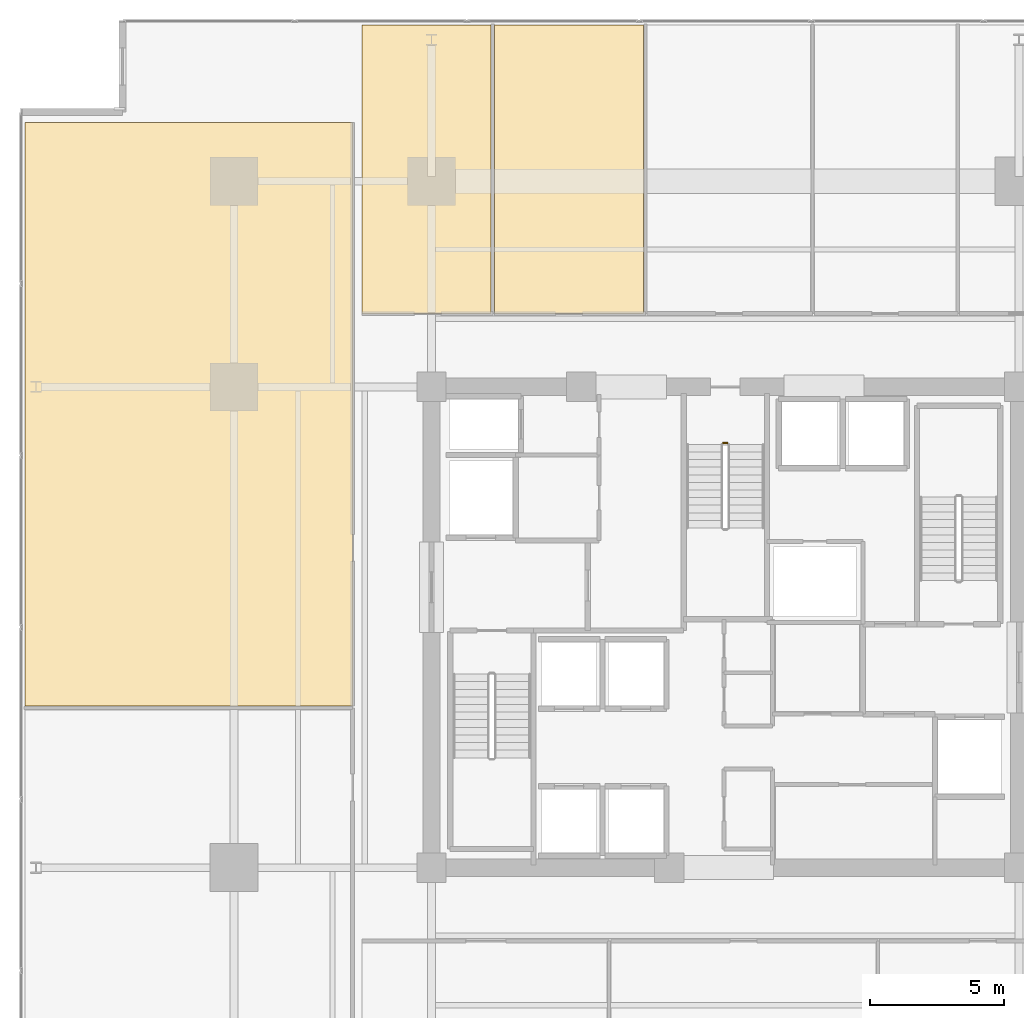
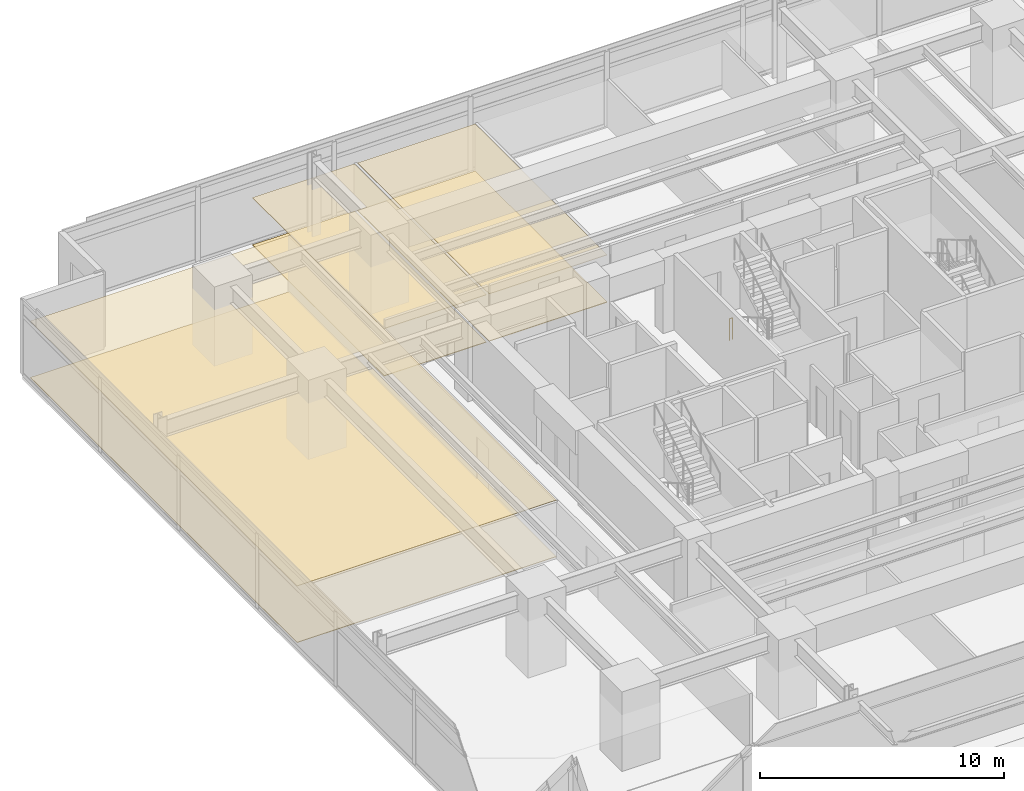
# One storey, part 22 of 23: 6 coverings, 1 railing.
"""IFC4 building model written with IfcOpenShell, lengths in metres."""

import ifcopenshell
import ifcopenshell.guid

model = None  # the IFC model being written
_history = None  # IfcOwnerHistory: only IFC2X3 demands one
_inside = {}  # id of a spatial element -> (the spatial element, [elements in it])
_under = {}  # id of a project, library or spatial element -> (it, [spatial elements below it])
_declared = {}  # id of a project -> (the project, [libraries it declares])
_typed = {}  # id of a type object -> (the type object, [elements of that type])
_made_of = {}  # id of a material, layer set ... -> (it, [elements and type objects made of it])


def new_model(schema):
    """Start an empty IFC model of exactly this schema.

    Asked for "IFC4X3", IfcOpenShell would pick the latest addendum, in which some entities
    have other attributes; the version numbers below select the first issue.
    IFC2X3 requires an IfcOwnerHistory on every rooted entity: one is made here for all.
    """
    global model, _history
    if schema == "IFC4X3":
        model = ifcopenshell.file(schema_version=(4, 3, 0, 0))
    else:
        model = ifcopenshell.file(schema=schema)
    _inside.clear()
    _under.clear()
    _declared.clear()
    _typed.clear()
    _made_of.clear()
    _history = None
    if model.schema == "IFC2X3":
        org = make("IfcOrganization", Name="unknown")
        user = make(
            "IfcPersonAndOrganization",
            ThePerson=make("IfcPerson", FamilyName="unknown"),
            TheOrganization=org,
        )
        app = make(
            "IfcApplication",
            ApplicationDeveloper=org,
            Version="unknown",
            ApplicationFullName="unknown",
            ApplicationIdentifier="unknown",
        )
        _history = make(
            "IfcOwnerHistory",
            OwningUser=user,
            OwningApplication=app,
            ChangeAction="ADDED",
            CreationDate=0,
        )
    return model


def make(cls, **values):
    """One entity of the class cls with the attributes given. An attribute that is None is left unset."""
    return model.create_entity(
        cls, **{name: value for name, value in values.items() if value is not None}
    )


def rooted(cls, **values):
    """An entity with a GlobalId (a new one), such as an element, a storey or a relation."""
    return make(cls, GlobalId=ifcopenshell.guid.new(), OwnerHistory=_history, **values)


def si_unit(unit_type, name, prefix=None):
    """IfcSIUnit, for example si_unit("LENGTHUNIT", "METRE", prefix="MILLI")."""
    return make("IfcSIUnit", UnitType=unit_type, Prefix=prefix, Name=name)


def assignment(units):
    """IfcUnitAssignment: the units of a project."""
    return None if units is None else make("IfcUnitAssignment", Units=units)


def point(xyz):
    """IfcCartesianPoint."""
    return None if xyz is None else make("IfcCartesianPoint", Coordinates=xyz)


def direction(xyz):
    """IfcDirection."""
    return None if xyz is None else make("IfcDirection", DirectionRatios=xyz)


def frame(location, z_axis=None, x_axis=None):
    """IfcAxis2Placement3D, a coordinate frame: its origin and axes. An axis left out is left unset."""
    return make(
        "IfcAxis2Placement3D",
        Location=point(location),
        Axis=direction(z_axis),
        RefDirection=direction(x_axis),
    )


def frame_2d(location, x_axis=None):
    """IfcAxis2Placement2D, a coordinate frame in the plane: its origin and x axis."""
    return make(
        "IfcAxis2Placement2D", Location=point(location), RefDirection=direction(x_axis)
    )


def origin():
    """The frame at (0, 0, 0) with its axes left unset."""
    return frame((0.0, 0.0, 0.0))


def origin_2d():
    """The frame at (0, 0) in the plane with its x axis left unset."""
    return frame_2d((0.0, 0.0))


def place(relative_to, where):
    """IfcLocalPlacement: puts the frame where relative to a parent placement (None: the world)."""
    return make(
        "IfcLocalPlacement", PlacementRelTo=relative_to, RelativePlacement=where
    )


def context(
    kind, dimensions, precision=None, world=None, true_north=None, identifier=None
):
    """IfcGeometricRepresentationContext, for example the 3D "Model" context."""
    return make(
        "IfcGeometricRepresentationContext",
        ContextIdentifier=identifier,
        ContextType=kind,
        CoordinateSpaceDimension=dimensions,
        Precision=precision,
        WorldCoordinateSystem=world,
        TrueNorth=true_north,
    )


def subcontext(parent, identifier, kind, view, scale=None):
    """IfcGeometricRepresentationSubContext, for example "Body" below "Model"."""
    return make(
        "IfcGeometricRepresentationSubContext",
        ContextIdentifier=identifier,
        ContextType=kind,
        ParentContext=parent,
        TargetScale=scale,
        TargetView=view,
    )


def project(units=None, contexts=None):
    """IfcProject with its units and contexts."""
    return rooted(
        "IfcProject",
        Name="project",
        RepresentationContexts=contexts,
        UnitsInContext=assignment(units),
    )


def spatial(cls, under=None, at=None, **own):
    """A site, building, storey or space (cls), placed at a placement, below another one or the project."""
    s = rooted(cls, ObjectPlacement=at, **own)
    if under is not None:
        _under.setdefault(under.id(), (under, []))[1].append(s)
    return s


def polyline(points):
    """IfcPolyline through the points."""
    return make("IfcPolyline", Points=[point(p) for p in points])


def profile(cls, at=None, kind="AREA", **sizes):
    """A parametric profile (cls). Its sizes go by their IFC names, for example OverallWidth=200.0."""
    return make(cls, ProfileType=kind, Position=at, **sizes)


def circle(**sizes):
    """IfcCircleProfileDef."""
    return profile("IfcCircleProfileDef", **sizes)


def outline(outer, holes=None, kind="AREA"):
    """IfcArbitraryClosedProfileDef: a profile drawn as a closed curve; with holes, ...WithVoids."""
    if holes is None:
        return make("IfcArbitraryClosedProfileDef", ProfileType=kind, OuterCurve=outer)
    return make(
        "IfcArbitraryProfileDefWithVoids",
        ProfileType=kind,
        OuterCurve=outer,
        InnerCurves=holes,
    )


def extrude(swept, where, along, depth):
    """IfcExtrudedAreaSolid: the profile swept, set in the frame where, extruded along a direction by depth."""
    return make(
        "IfcExtrudedAreaSolid",
        SweptArea=swept,
        Position=where,
        ExtrudedDirection=direction(along),
        Depth=depth,
    )


def shape(context_of_items, identifier, shape_type, items):
    """IfcShapeRepresentation: the items that make up one representation, for example the "Body"."""
    return make(
        "IfcShapeRepresentation",
        ContextOfItems=context_of_items,
        RepresentationIdentifier=identifier,
        RepresentationType=shape_type,
        Items=items,
    )


def material(Name=None, Category=None):
    """IfcMaterial."""
    return make("IfcMaterial", Name=Name, Category=Category)


def layer(
    of_material, thickness, ventilated=None, Name=None, Category=None, Priority=None
):
    """IfcMaterialLayer: one layer of a wall or slab, of a material (None: an air gap)."""
    return make(
        "IfcMaterialLayer",
        Material=of_material,
        LayerThickness=thickness,
        IsVentilated=ventilated,
        Name=Name,
        Category=Category,
        Priority=Priority,
    )


def layer_set(layers, Name=None):
    """IfcMaterialLayerSet."""
    return make("IfcMaterialLayerSet", MaterialLayers=layers, LayerSetName=Name)


def made_of(thing, what):
    """Note that an element or type object is made of a material, layer set ...; save() writes the relation."""
    if what is not None:
        _made_of.setdefault(what.id(), (what, []))[1].append(thing)
    return thing


def type_object(cls, material=None, **own):
    """A type object (cls), such as IfcWallType, which elements share."""
    return made_of(rooted(cls, **own), material)


def element(
    cls,
    number,
    at=None,
    inside=None,
    cuts=None,
    type_object=None,
    material=None,
    context=None,
    identifier="Body",
    shape_type=None,
    held_by="IfcProductDefinitionShape",
    body=None,
    shapes=None,
    **own,
):
    """One element of the class cls, such as IfcWall. Its Tag is "e" and its number.

    at: its placement. inside: the storey or other place that contains it. cuts: it is an
    opening in that element (IfcRelVoidsElement). A single representation is given by context,
    identifier, shape_type and body (its items); several are given by shapes. held_by: the class
    of the entity that holds the representations. save() writes the other relations.
    """
    e = rooted(cls, Tag="e%d" % number, ObjectPlacement=at, **own)
    if body is not None:
        shapes = [shape(context, identifier, shape_type, body)]
    if shapes is not None:
        e.Representation = make(held_by, Representations=shapes)
    if inside is not None:
        _inside.setdefault(inside.id(), (inside, []))[1].append(e)
    if cuts is not None:
        rooted(
            "IfcRelVoidsElement", RelatingBuildingElement=cuts, RelatedOpeningElement=e
        )
    if type_object is not None:
        _typed.setdefault(type_object.id(), (type_object, []))[1].append(e)
    return made_of(e, material)


def aggregate(whole, parts):
    """IfcRelAggregates: a whole, such as a stair, and the parts it consists of."""
    return rooted("IfcRelAggregates", RelatingObject=whole, RelatedObjects=parts)


def save(model, path):
    """Write the relations noted so far, then the file.

    IfcRelAggregates (storeys below a building ...), IfcRelContainedInSpatialStructure (elements
    in a storey), IfcRelDefinesByType, IfcRelAssociatesMaterial and IfcRelDeclares: one each for
    every whole, place, type object, material and project.
    """
    for whole, parts in _under.values():
        aggregate(whole, parts)
    for where, things in _inside.values():
        rooted(
            "IfcRelContainedInSpatialStructure",
            RelatedElements=things,
            RelatingStructure=where,
        )
    for kind, things in _typed.values():
        rooted("IfcRelDefinesByType", RelatedObjects=things, RelatingType=kind)
    for what, things in _made_of.values():
        rooted("IfcRelAssociatesMaterial", RelatedObjects=things, RelatingMaterial=what)
    for by, libraries in _declared.values():
        rooted("IfcRelDeclares", RelatingContext=by, RelatedDefinitions=libraries)
    model.write(path)


model = new_model("IFC4")

# Units and contexts
model_context = context("Model", 3, precision=1e-05, world=origin(), true_north=direction((0.0, 1.0)))
body_context = subcontext(model_context, "Body", "Model", "MODEL_VIEW")
ifc_project = project(units=[si_unit("LENGTHUNIT", "METRE"), si_unit("AREAUNIT", "SQUARE_METRE"), si_unit("VOLUMEUNIT", "CUBIC_METRE"), si_unit("PLANEANGLEUNIT", "RADIAN"), si_unit("MASSUNIT", "GRAM", prefix="KILO")], contexts=[model_context])

# Site, building, storey
site_placement = place(None, origin())
site = spatial("IfcSite", under=ifc_project, at=site_placement, CompositionType="ELEMENT")
building_placement = place(site_placement, origin())
building = spatial("IfcBuilding", under=site, at=building_placement, Name="Kovane Verandah Tower", CompositionType="ELEMENT")
storey_placement = place(building_placement, frame((0.0, 0.0, 91.60009765625)))
storey = spatial("IfcBuildingStorey", under=building, at=storey_placement, Name="L21", CompositionType="ELEMENT", Elevation=91.60009765625)

# Coverings
ifc_material_1 = material(Name="Perforated Acoustic Mineral-Fibre Ceiling Tile", Category="gypsum")
ifc_layer_1 = layer(ifc_material_1, 0.02490234375)
ifc_layer_set_1 = layer_set([ifc_layer_1], Name="Perforated Acoustic Mineral-Fibre Ceiling Tile")
covering_type_1 = type_object("IfcCoveringType", Name="CV-CEIL-25", PredefinedType="CEILING", material=ifc_layer_set_1)
covering_1_placement = place(storey_placement, frame((0.0, 0.0, 2.364990234375)))
element("IfcCovering", 1, at=covering_1_placement, inside=storey, type_object=covering_type_1, Name="L21 Breakout Pantry N1 Acoustic Ceiling", PredefinedType="CEILING", context=body_context, shape_type="SweptSolid", body=[
    extrude(outline(polyline([(26.39990234375, 39.25), (31.22607421875, 39.25), (31.22607421875, 50.044921875), (26.39990234375, 50.044921875), (26.39990234375, 39.25)])), origin(), (0.0, 0.0, 1.0), 0.02490234375),
])
covering_2_placement = place(storey_placement, frame((0.0, 0.0, 2.364990234375)))
element("IfcCovering", 2, at=covering_2_placement, inside=storey, type_object=covering_type_1, Name="L21 Collaboration Hub N2 Acoustic Ceiling", PredefinedType="CEILING", context=body_context, shape_type="SweptSolid", body=[
    extrude(outline(polyline([(31.365966796875, 39.25), (36.93798828125, 39.25), (36.93798828125, 50.044921875), (31.365966796875, 50.044921875), (31.365966796875, 39.25)])), origin(), (0.0, 0.0, 1.0), 0.02490234375),
])
covering_3_placement = place(storey_placement, frame((0.0, 0.0, 2.824951171875)))
element("IfcCovering", 3, at=covering_3_placement, inside=storey, type_object=covering_type_1, Name="L21 Collaboration Hub W2 Acoustic Ceiling", PredefinedType="CEILING", context=body_context, shape_type="SweptSolid", body=[
    extrude(outline(polyline([(13.785888671875, 24.546875), (26.050048828125, 24.546875), (26.050048828125, 46.39501953125), (13.785888671875, 46.39501953125), (13.785888671875, 24.546875)])), origin(), (0.0, 0.0, 1.0), 0.02490234375),
])
ifc_material_2 = material(Name="Polished Terrazzo and Raised-Access Carpet Tile Finish", Category="concrete")
ifc_layer_2 = layer(ifc_material_2, 0.030029296875)
ifc_layer_set_2 = layer_set([ifc_layer_2], Name="Polished Terrazzo and Raised-Access Carpet Tile Finish")
covering_type_2 = type_object("IfcCoveringType", Name="CV-FLOR-30", PredefinedType="FLOORING", material=ifc_layer_set_2)
covering_4_placement = place(storey_placement, origin())
element("IfcCovering", 4, at=covering_4_placement, inside=storey, type_object=covering_type_2, Name="L21 Breakout Pantry N1 Floor Finish", PredefinedType="FLOORING", context=body_context, shape_type="SweptSolid", body=[
    extrude(outline(polyline([(26.39990234375, 39.25), (31.22607421875, 39.25), (31.22607421875, 50.044921875), (26.39990234375, 50.044921875), (26.39990234375, 39.25)])), origin(), (0.0, 0.0, 1.0), 0.02978515625),
])
covering_5_placement = place(storey_placement, origin())
element("IfcCovering", 5, at=covering_5_placement, inside=storey, type_object=covering_type_2, Name="L21 Collaboration Hub N2 Floor Finish", PredefinedType="FLOORING", context=body_context, shape_type="SweptSolid", body=[
    extrude(outline(polyline([(31.365966796875, 39.25), (36.93798828125, 39.25), (36.93798828125, 50.044921875), (31.365966796875, 50.044921875), (31.365966796875, 39.25)])), origin(), (0.0, 0.0, 1.0), 0.02978515625),
])
covering_6_placement = place(storey_placement, origin())
element("IfcCovering", 6, at=covering_6_placement, inside=storey, type_object=covering_type_2, Name="L21 Collaboration Hub W2 Floor Finish", PredefinedType="FLOORING", context=body_context, shape_type="SweptSolid", body=[
    extrude(outline(polyline([(13.785888671875, 24.546875), (26.050048828125, 24.546875), (26.050048828125, 46.39501953125), (13.785888671875, 46.39501953125), (13.785888671875, 24.546875)])), origin(), (0.0, 0.0, 1.0), 0.02978515625),
])

# Railing
ifc_material_3 = material(Name="Painted Steel Stairwell Guardrail", Category="steel")
railing_type = type_object("IfcRailingType", Name="RL-STGUARD-1120", PredefinedType="GUARDRAIL", material=ifc_material_3)
railing_placement = place(storey_placement, frame((39.919921875, 34.39990234375, 0.0)))
element("IfcRailing", 7, at=railing_placement, inside=storey, type_object=railing_type, Name="L21 ST-03 stair guard 4", PredefinedType="GUARDRAIL", context=body_context, shape_type="SweptSolid", body=[
    extrude(circle(Radius=0.02392578125, at=origin_2d()), frame((0.0, 0.0, 1.076171875), z_axis=(1.0, 0.0, 0.0), x_axis=(0.0, 1.0, 0.0)), (0.0, 0.0, 1.0), 0.16015625),
    extrude(circle(Radius=0.02099609375, at=origin_2d()), origin(), (0.0, 0.0, 1.0), 1.052001953125),
    extrude(circle(Radius=0.02099609375, at=origin_2d()), frame((0.16015625, 0.0, 0.0)), (0.0, 0.0, 1.0), 1.052001953125),
])

save(model, "model.ifc")
